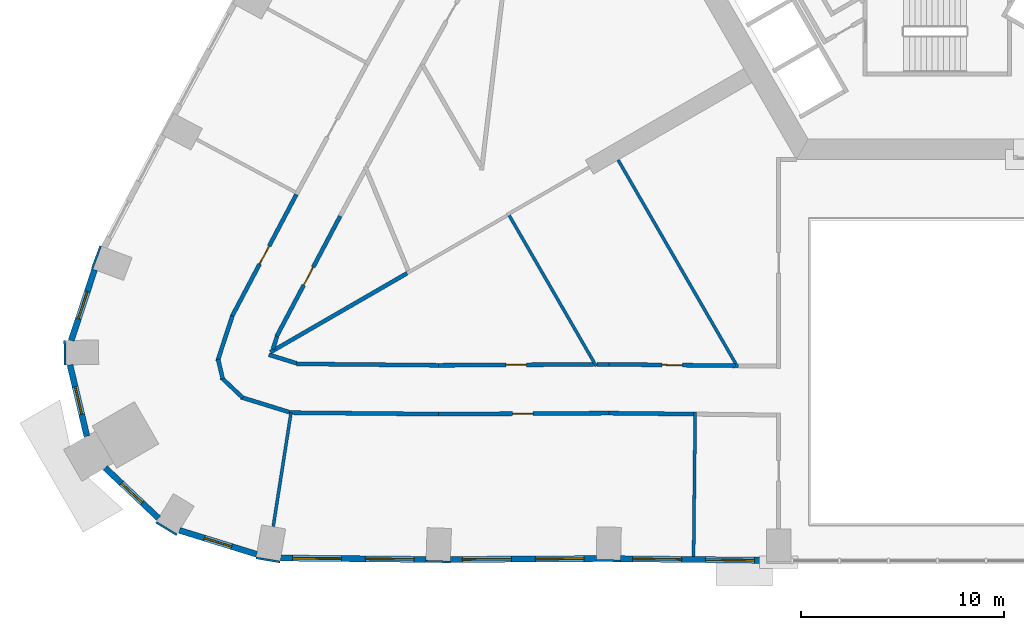
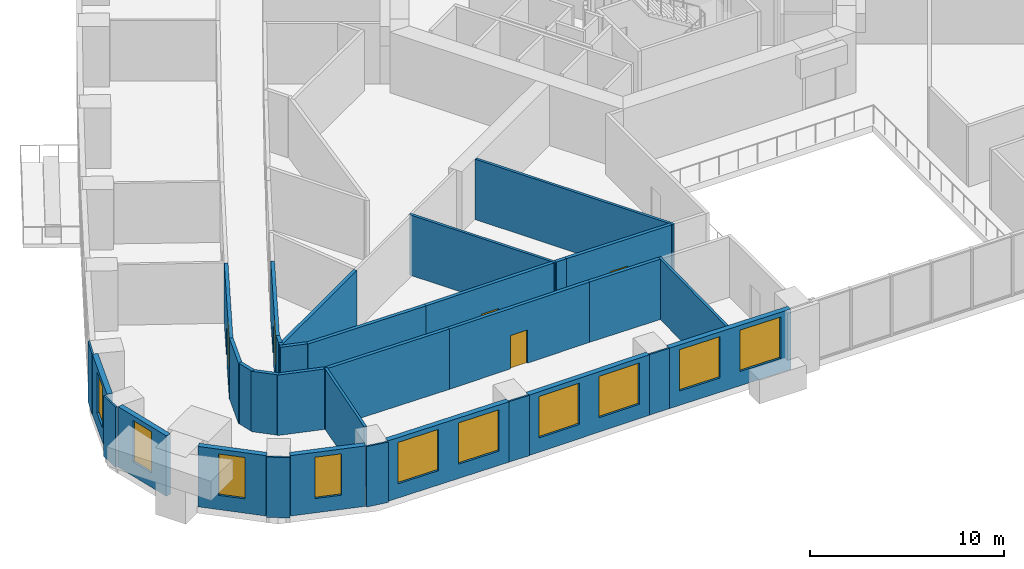
# One storey, part 4 of 16: 33 walls, 10 windows, 5 doors, 15 openings.
"""IFC4 building model written with IfcOpenShell, lengths in metres."""

from ifc_helpers import new_model, si_unit, direction, frame, frame_2d, origin, place, context, subcontext, project, spatial, rectangle, extrude, material, layer, layer_set, type_object, element, fill, save


model = new_model("IFC4")

# Units and contexts
model_context = context("Model", 3, precision=1e-05, world=origin(), true_north=direction((0.0, 1.0)))
body_context = subcontext(model_context, "Body", "Model", "MODEL_VIEW")
ifc_project = project(units=[si_unit("LENGTHUNIT", "METRE"), si_unit("AREAUNIT", "SQUARE_METRE"), si_unit("VOLUMEUNIT", "CUBIC_METRE"), si_unit("PLANEANGLEUNIT", "RADIAN"), si_unit("MASSUNIT", "GRAM", prefix="KILO")], contexts=[model_context])

# Site, building, storey
site_placement = place(None, origin())
site = spatial("IfcSite", under=ifc_project, at=site_placement, CompositionType="ELEMENT")
building_placement = place(site_placement, origin())
building = spatial("IfcBuilding", under=site, at=building_placement, Name="Entoto Arch Interchange Tower", CompositionType="ELEMENT")
storey_placement = place(building_placement, frame((0.0, 0.0, 68.60009765625)))
storey = spatial("IfcBuildingStorey", under=building, at=storey_placement, Name="L14", CompositionType="ELEMENT", Elevation=68.60009765625)

# Walls
ifc_material_1 = material(Name="Gypsum board partition on steel studs", Category="steel")
ifc_layer_1 = layer(ifc_material_1, 0.14990234375)
ifc_layer_set_1 = layer_set([ifc_layer_1], Name="Gypsum board partition on steel studs")
wall_type_1 = type_object("IfcWallType", Name="PARTITION 150", PredefinedType="PARTITIONING", material=ifc_layer_set_1)
wall_1_placement = place(storey_placement, frame((-9.801025390625, -19.72412109375, 0.0), z_axis=(0.0, 0.0, 1.0), x_axis=(-0.500005867738, 0.866022016018, 0.0)))
element("IfcWall", 1, at=wall_1_placement, inside=storey, type_object=wall_type_1, Name="wall:L14:p128", PredefinedType="PARTITIONING", context=body_context, shape_type="SweptSolid", body=[
    extrude(rectangle(XDim=11.781494140625, YDim=0.14990234375, at=frame_2d((5.890625, 0.0))), origin(), (0.0, 0.0, 1.0), 3.7998046875),
])
wall_2_placement = place(storey_placement, frame((-16.76708984375, -19.657958984375, 0.0), z_axis=(0.0, 0.0, 1.0), x_axis=(-0.500083586486, 0.865977139726, 0.0)))
element("IfcWall", 2, at=wall_2_placement, inside=storey, type_object=wall_type_1, Name="wall:L14:p132", PredefinedType="PARTITIONING", context=body_context, shape_type="SweptSolid", body=[
    extrude(rectangle(XDim=8.68017578125, YDim=0.14990234375, at=frame_2d((4.340087890625, 0.0))), origin(), (0.0, 0.0, 1.0), 3.7998046875),
])
wall_3_placement = place(storey_placement, frame((-31.77294921875, -21.944091796875, 0.0), z_axis=(0.0, 0.0, 1.0), x_axis=(-0.154313693693, -0.988021904585, 0.0)))
element("IfcWall", 3, at=wall_3_placement, inside=storey, type_object=wall_type_1, Name="wall:L14:p149", PredefinedType="PARTITIONING", context=body_context, shape_type="SweptSolid", body=[
    extrude(rectangle(XDim=5.65771484375, YDim=0.14990234375, at=frame_2d((2.828857421875, 0.0))), origin(), (0.0, 0.0, 1.0), 3.7998046875),
])
wall_4_placement = place(storey_placement, frame((-11.903076171875, -21.9150390625, 0.0), z_axis=(0.0, 0.0, 1.0), x_axis=(-0.011106223261, -0.999938324, 0.0)))
element("IfcWall", 4, at=wall_4_placement, inside=storey, type_object=wall_type_1, Name="wall:L14:p150", PredefinedType="PARTITIONING", context=body_context, shape_type="SweptSolid", body=[
    extrude(rectangle(XDim=7.100341796875, YDim=0.14990234375, at=frame_2d((3.55029296875, 0.0))), origin(), (0.0, 0.0, 1.0), 3.7998046875),
])
ifc_layer_2 = layer(ifc_material_1, 0.199951171875)
ifc_layer_set_2 = layer_set([ifc_layer_2], Name="Gypsum board partition on steel studs")
wall_type_2 = type_object("IfcWallType", Name="PARTITION 200", PredefinedType="PARTITIONING", material=ifc_layer_set_2)
wall_5_placement = place(storey_placement, frame((-16.741943359375, -19.571044921875, 0.0), z_axis=(0.0, 0.0, 1.0), x_axis=(0.999988034534, 0.004891910483, 0.0)))
element("IfcWall", 5, at=wall_5_placement, inside=storey, type_object=wall_type_2, Name="wall:L14:p035", PredefinedType="PARTITIONING", context=body_context, shape_type="SweptSolid", body=[
    extrude(rectangle(XDim=0.598876953125, YDim=0.199951171875, at=frame_2d((0.29931640625, 0.0))), origin(), (0.0, 0.0, 1.0), 3.7998046875),
])

# Wall, opening, door
wall_6_placement = place(storey_placement, frame((-16.14306640625, -19.568115234375, 0.0), z_axis=(0.0, 0.0, 1.0), x_axis=(0.999938688645, -0.011073344206, 0.0)))
wall_6 = element("IfcWall", 6, at=wall_6_placement, inside=storey, type_object=wall_type_2, Name="wall:L14:p036", PredefinedType="PARTITIONING", context=body_context, shape_type="SweptSolid", body=[
    extrude(rectangle(XDim=6.217529296875, YDim=0.199951171875, at=frame_2d((3.10888671875, 0.0))), origin(), (0.0, 0.0, 1.0), 3.7998046875),
])
opening_1_placement = place(wall_6_placement, frame((2.60888671875, 0.0, 0.0)))
opening_1 = element("IfcOpeningElement", 7, at=opening_1_placement, cuts=wall_6, Name="Opening L14-D24", PredefinedType="OPENING", context=body_context, shape_type="SweptSolid", body=[
    extrude(rectangle(XDim=1.0, YDim=2.10009765625, at=frame_2d((0.5, 1.050048828125))), frame((0.0, 0.10986328125, 0.0), z_axis=(0.0, -1.0, 0.0), x_axis=(1.0, 0.0, 0.0)), (0.0, 0.0, 1.0), 0.219970703125),
])
ifc_material_2 = material(Name="Timber door leaf in Steel S235 frame", Category="steel")
door_type = type_object("IfcDoorType", Name="DOOR DS-10 1000x2100", OperationType="SINGLE_SWING_LEFT", PredefinedType="DOOR", material=ifc_material_2)
door_1_placement = place(opening_1_placement, origin())
door_1 = element("IfcDoor", 8, at=door_1_placement, inside=storey, type_object=door_type, Name="door:L14:24", OperationType="SINGLE_SWING_LEFT", OverallHeight=2.10009765625, OverallWidth=1.0, PredefinedType="DOOR", context=body_context, shape_type="SweptSolid", body=[
    extrude(rectangle(XDim=1.0, YDim=2.10009765625, at=frame_2d((0.5, 1.050048828125))), frame((0.0, 0.02490234375, 0.0), z_axis=(0.0, -1.0, 0.0), x_axis=(1.0, 0.0, 0.0)), (0.0, 0.0, 1.0), 0.050048828125),
])
fill(opening_1, door_1)

wall_7_placement = place(storey_placement, frame((-29.35595703125, -12.281005859375, 0.0), z_axis=(0.0, 0.0, 1.0), x_axis=(-0.467123190417, -0.884192244353, 0.0)))
wall_7 = element("IfcWall", 9, at=wall_7_placement, inside=storey, type_object=wall_type_2, Name="wall:L14:p038", PredefinedType="PARTITIONING", context=body_context, shape_type="SweptSolid", body=[
    extrude(rectangle(XDim=6.67724609375, YDim=0.199951171875, at=frame_2d((3.338623046875, 0.0))), origin(), (0.0, 0.0, 1.0), 3.7998046875),
])
opening_2_placement = place(wall_7_placement, frame((2.839111328125, 0.0, 0.0)))
opening_2 = element("IfcOpeningElement", 10, at=opening_2_placement, cuts=wall_7, Name="Opening L14-D25", PredefinedType="OPENING", context=body_context, shape_type="SweptSolid", body=[
    extrude(rectangle(XDim=1.0, YDim=2.10009765625, at=frame_2d((0.5, 1.050048828125))), frame((0.0, 0.10986328125, 0.0), z_axis=(0.0, -1.0, 0.0), x_axis=(1.0, 0.0, 0.0)), (0.0, 0.0, 1.0), 0.219970703125),
])
door_2_placement = place(opening_2_placement, origin())
door_2 = element("IfcDoor", 11, at=door_2_placement, inside=storey, type_object=door_type, Name="door:L14:25", OperationType="SINGLE_SWING_LEFT", OverallHeight=2.10009765625, OverallWidth=1.0, PredefinedType="DOOR", context=body_context, shape_type="SweptSolid", body=[
    extrude(rectangle(XDim=1.0, YDim=2.10009765625, at=frame_2d((0.5, 1.050048828125))), frame((0.0, 0.02490234375, 0.0), z_axis=(0.0, -1.0, 0.0), x_axis=(1.0, 0.0, 0.0)), (0.0, 0.0, 1.0), 0.050048828125),
])
fill(opening_2, door_2)

# Walls
wall_8_placement = place(storey_placement, frame((-32.458984375, -18.19091796875, 0.0), z_axis=(0.0, 0.0, 1.0), x_axis=(-0.312158013001, -0.950030196846, 0.0)))
element("IfcWall", 12, at=wall_8_placement, inside=storey, type_object=wall_type_2, Name="wall:L14:p039", PredefinedType="PARTITIONING", context=body_context, shape_type="SweptSolid", body=[
    extrude(rectangle(XDim=0.666259765625, YDim=0.199951171875, at=frame_2d((0.3330078125, 0.0))), origin(), (0.0, 0.0, 1.0), 3.7998046875),
])
wall_9_placement = place(storey_placement, frame((-32.861083984375, -19.094970703125, 0.0), z_axis=(0.0, 0.0, 1.0), x_axis=(0.955301951006, -0.29563183591, 0.0)))
element("IfcWall", 13, at=wall_9_placement, inside=storey, type_object=wall_type_2, Name="wall:L14:p040", PredefinedType="PARTITIONING", context=body_context, shape_type="SweptSolid", body=[
    extrude(rectangle(XDim=1.43115234375, YDim=0.199951171875, at=frame_2d((0.715576171875, 0.0))), origin(), (0.0, 0.0, 1.0), 3.7998046875),
])
wall_10_placement = place(storey_placement, frame((-31.498046875, -19.5458984375, 0.0), z_axis=(0.0, 0.0, 1.0), x_axis=(0.999950985372, -0.009900851195, 0.0)))
element("IfcWall", 14, at=wall_10_placement, inside=storey, type_object=wall_type_2, Name="wall:L14:p041", PredefinedType="PARTITIONING", context=body_context, shape_type="SweptSolid", body=[
    extrude(rectangle(XDim=6.978271484375, YDim=0.199951171875, at=frame_2d((3.4892578125, 0.0))), origin(), (0.0, 0.0, 1.0), 3.7998046875),
])

# Wall, opening, door
wall_11_placement = place(storey_placement, frame((-24.52001953125, -19.614990234375, 0.0), z_axis=(0.0, 0.0, 1.0), x_axis=(0.999984134574, 0.00563299218, 0.0)))
wall_11 = element("IfcWall", 15, at=wall_11_placement, inside=storey, type_object=wall_type_2, Name="wall:L14:p042", PredefinedType="PARTITIONING", context=body_context, shape_type="SweptSolid", body=[
    extrude(rectangle(XDim=7.6279296875, YDim=0.199951171875, at=frame_2d((3.81396484375, 0.0))), origin(), (0.0, 0.0, 1.0), 3.7998046875),
])
opening_3_placement = place(wall_11_placement, frame((3.31396484375, 0.0, 0.0)))
opening_3 = element("IfcOpeningElement", 16, at=opening_3_placement, cuts=wall_11, Name="Opening L14-D26", PredefinedType="OPENING", context=body_context, shape_type="SweptSolid", body=[
    extrude(rectangle(XDim=1.0, YDim=2.10009765625, at=frame_2d((0.5, 1.050048828125))), frame((0.0, 0.10986328125, 0.0), z_axis=(0.0, -1.0, 0.0), x_axis=(1.0, 0.0, 0.0)), (0.0, 0.0, 1.0), 0.219970703125),
])
door_3_placement = place(opening_3_placement, origin())
door_3 = element("IfcDoor", 17, at=door_3_placement, inside=storey, type_object=door_type, Name="door:L14:26", OperationType="SINGLE_SWING_LEFT", OverallHeight=2.10009765625, OverallWidth=1.0, PredefinedType="DOOR", context=body_context, shape_type="SweptSolid", body=[
    extrude(rectangle(XDim=1.0, YDim=2.10009765625, at=frame_2d((0.5, 1.050048828125))), frame((0.0, 0.02490234375, 0.0), z_axis=(0.0, -1.0, 0.0), x_axis=(1.0, 0.0, 0.0)), (0.0, 0.0, 1.0), 0.050048828125),
])
fill(opening_3, door_3)

# Walls
wall_12_placement = place(storey_placement, frame((-31.867919921875, -21.9140625, 0.0), z_axis=(0.0, 0.0, 1.0), x_axis=(-0.955329505989, 0.295542780299, 0.0)))
element("IfcWall", 18, at=wall_12_placement, inside=storey, type_object=wall_type_2, Name="wall:L14:p074", PredefinedType="PARTITIONING", context=body_context, shape_type="SweptSolid", body=[
    extrude(rectangle(XDim=2.48388671875, YDim=0.199951171875, at=frame_2d((1.241943359375, 0.0))), origin(), (0.0, 0.0, 1.0), 3.7998046875),
])
wall_13_placement = place(storey_placement, frame((-34.14599609375, -21.208984375, 0.0), z_axis=(0.0, 0.0, 1.0), x_axis=(-0.727092478665, 0.686539530885, 0.0)))
element("IfcWall", 19, at=wall_13_placement, inside=storey, type_object=wall_type_2, Name="wall:L14:p075", PredefinedType="PARTITIONING", context=body_context, shape_type="SweptSolid", body=[
    extrude(rectangle(XDim=1.450927734375, YDim=0.199951171875, at=frame_2d((0.7255859375, 0.0))), origin(), (0.0, 0.0, 1.0), 3.7998046875),
])
wall_14_placement = place(storey_placement, frame((-35.12890625, -20.281005859375, 0.0), z_axis=(0.0, 0.0, 1.0), x_axis=(-0.230392306785, 0.973097829087, 0.0)))
element("IfcWall", 20, at=wall_14_placement, inside=storey, type_object=wall_type_2, Name="wall:L14:p076", PredefinedType="PARTITIONING", context=body_context, shape_type="SweptSolid", body=[
    extrude(rectangle(XDim=0.985595703125, YDim=0.199951171875, at=frame_2d((0.49267578125, 0.0))), origin(), (0.0, 0.0, 1.0), 3.7998046875),
])
wall_15_placement = place(storey_placement, frame((-35.386962890625, -19.416015625, 0.0), z_axis=(0.0, 0.0, 1.0), x_axis=(0.31172635658, 0.950171920556, 0.0)))
element("IfcWall", 21, at=wall_15_placement, inside=storey, type_object=wall_type_2, Name="wall:L14:p077", PredefinedType="PARTITIONING", context=body_context, shape_type="SweptSolid", body=[
    extrude(rectangle(XDim=2.344970703125, YDim=0.199951171875, at=frame_2d((1.17236328125, 0.0))), origin(), (0.0, 0.0, 1.0), 3.7998046875),
])

# Wall, opening, door
wall_16_placement = place(storey_placement, frame((-34.69189453125, -17.242919921875, 0.0), z_axis=(0.0, 0.0, 1.0), x_axis=(0.467102540817, 0.884203153332, 0.0)))
wall_16 = element("IfcWall", 22, at=wall_16_placement, inside=storey, type_object=wall_type_2, Name="wall:L14:p078", PredefinedType="PARTITIONING", context=body_context, shape_type="SweptSolid", body=[
    extrude(rectangle(XDim=6.816162109375, YDim=0.199951171875, at=frame_2d((3.408203125, 0.0))), origin(), (0.0, 0.0, 1.0), 3.7998046875),
])
opening_4_placement = place(wall_16_placement, frame((2.946044921875, 0.0, 0.0)))
opening_4 = element("IfcOpeningElement", 23, at=opening_4_placement, cuts=wall_16, Name="Opening L14-D16", PredefinedType="OPENING", context=body_context, shape_type="SweptSolid", body=[
    extrude(rectangle(XDim=1.0, YDim=2.10009765625, at=frame_2d((0.5, 1.050048828125))), frame((0.0, 0.10986328125, 0.0), z_axis=(0.0, -1.0, 0.0), x_axis=(1.0, 0.0, 0.0)), (0.0, 0.0, 1.0), 0.219970703125),
])
door_4_placement = place(opening_4_placement, origin())
door_4 = element("IfcDoor", 24, at=door_4_placement, inside=storey, type_object=door_type, Name="door:L14:16", OperationType="SINGLE_SWING_LEFT", OverallHeight=2.10009765625, OverallWidth=1.0, PredefinedType="DOOR", context=body_context, shape_type="SweptSolid", body=[
    extrude(rectangle(XDim=1.0, YDim=2.10009765625, at=frame_2d((0.5, 1.050048828125))), frame((0.0, 0.02490234375, 0.0), z_axis=(0.0, -1.0, 0.0), x_axis=(1.0, 0.0, 0.0)), (0.0, 0.0, 1.0), 0.050048828125),
])
fill(opening_4, door_4)

# Wall
wall_17_placement = place(storey_placement, frame((-11.97900390625, -22.013916015625, 0.0), z_axis=(0.0, 0.0, 1.0), x_axis=(-0.999939456554, 0.01100378236, 0.0)))
element("IfcWall", 25, at=wall_17_placement, inside=storey, type_object=wall_type_2, Name="wall:L14:p079", PredefinedType="PARTITIONING", context=body_context, shape_type="SweptSolid", body=[
    extrude(rectangle(XDim=4.171142578125, YDim=0.199951171875, at=frame_2d((2.08544921875, 0.0))), origin(), (0.0, 0.0, 1.0), 3.7998046875),
])

# Wall, opening, door
wall_18_placement = place(storey_placement, frame((-16.14990234375, -21.968017578125, 0.0), z_axis=(0.0, 0.0, 1.0), x_axis=(-0.99998433708, -0.00559692726, 0.0)))
wall_18 = element("IfcWall", 26, at=wall_18_placement, inside=storey, type_object=wall_type_2, Name="wall:L14:p080", PredefinedType="PARTITIONING", context=body_context, shape_type="SweptSolid", body=[
    extrude(rectangle(XDim=8.375244140625, YDim=0.199951171875, at=frame_2d((4.1875, 0.0))), origin(), (0.0, 0.0, 1.0), 3.7998046875),
])
opening_5_placement = place(wall_18_placement, frame((3.72509765625, 0.0, 0.0)))
opening_5 = element("IfcOpeningElement", 27, at=opening_5_placement, cuts=wall_18, Name="Opening L14-D17", PredefinedType="OPENING", context=body_context, shape_type="SweptSolid", body=[
    extrude(rectangle(XDim=1.0, YDim=2.10009765625, at=frame_2d((0.5, 1.050048828125))), frame((0.0, 0.10986328125, 0.0), z_axis=(0.0, -1.0, 0.0), x_axis=(1.0, 0.0, 0.0)), (0.0, 0.0, 1.0), 0.219970703125),
])
door_5_placement = place(opening_5_placement, origin())
door_5 = element("IfcDoor", 28, at=door_5_placement, inside=storey, type_object=door_type, Name="door:L14:17", OperationType="SINGLE_SWING_RIGHT", OverallHeight=2.10009765625, OverallWidth=1.0, PredefinedType="DOOR", context=body_context, shape_type="SweptSolid", body=[
    extrude(rectangle(XDim=1.0, YDim=2.10009765625, at=frame_2d((0.5, 1.050048828125))), frame((0.0, 0.02490234375, 0.0), z_axis=(0.0, -1.0, 0.0), x_axis=(1.0, 0.0, 0.0)), (0.0, 0.0, 1.0), 0.050048828125),
])
fill(opening_5, door_5)

# Walls
wall_19_placement = place(storey_placement, frame((-24.52490234375, -22.014892578125, 0.0), z_axis=(0.0, 0.0, 1.0), x_axis=(-0.999952295614, 0.009767624922, 0.0)))
element("IfcWall", 29, at=wall_19_placement, inside=storey, type_object=wall_type_2, Name="wall:L14:p081", PredefinedType="PARTITIONING", context=body_context, shape_type="SweptSolid", body=[
    extrude(rectangle(XDim=7.348388671875, YDim=0.199951171875, at=frame_2d((3.67431640625, 0.0))), origin(), (0.0, 0.0, 1.0), 3.7998046875),
])
wall_20_placement = place(storey_placement, frame((-26.06396484375, -15.087890625, 0.0), z_axis=(0.0, 0.0, 1.0), x_axis=(-0.865982841629, -0.500073712571, 0.0)))
element("IfcWall", 30, at=wall_20_placement, inside=storey, type_object=wall_type_2, Name="wall:L14:p133", PredefinedType="PARTITIONING", context=body_context, shape_type="SweptSolid", body=[
    extrude(rectangle(XDim=7.760986328125, YDim=0.199951171875, at=frame_2d((3.88037109375, 0.0))), origin(), (0.0, 0.0, 1.0), 3.7998046875),
])

# Wall, openings, windows
ifc_material_3 = material(Name="Welded tuff (ignimbrite) cladding, warm buff", Category="masonry")
ifc_layer_3 = layer(ifc_material_3, 0.300048828125)
ifc_layer_set_3 = layer_set([ifc_layer_3], Name="Welded tuff (ignimbrite) cladding, warm buff")
wall_type_3 = type_object("IfcWallType", Name="STONE INFILL WALL 300", PredefinedType="STANDARD", material=ifc_layer_set_3)
wall_21_placement = place(storey_placement, frame((-32.279052734375, -29.089111328125, 0.0), z_axis=(0.0, 0.0, 1.0), x_axis=(0.999952253205, -0.009771965572, 0.0)))
wall_21 = element("IfcWall", 31, at=wall_21_placement, inside=storey, type_object=wall_type_3, Name="Facade wall S-01 L14", PredefinedType="STANDARD", context=body_context, shape_type="SweptSolid", body=[
    extrude(rectangle(XDim=7.145263671875, YDim=0.300048828125, at=frame_2d((3.57275390625, 0.0))), origin(), (0.0, 0.0, 1.0), 3.7998046875),
])
opening_6_placement = place(wall_21_placement, frame((0.5859375, 0.0, 0.89990234375)))
opening_6 = element("IfcOpeningElement", 32, at=opening_6_placement, cuts=wall_21, Name="Opening WO-A", PredefinedType="OPENING", context=body_context, shape_type="SweptSolid", body=[
    extrude(rectangle(XDim=2.39990234375, YDim=2.60009765625, at=frame_2d((1.199951171875, 1.300048828125))), frame((0.0, 0.16015625, 0.0), z_axis=(0.0, -1.0, 0.0), x_axis=(1.0, 0.0, 0.0)), (0.0, 0.0, 1.0), 0.320068359375),
])
opening_7_placement = place(wall_21_placement, frame((4.158935546875, 0.0, 0.89990234375)))
opening_7 = element("IfcOpeningElement", 33, at=opening_7_placement, cuts=wall_21, Name="Opening WO-A", PredefinedType="OPENING", context=body_context, shape_type="SweptSolid", body=[
    extrude(rectangle(XDim=2.39990234375, YDim=2.60009765625, at=frame_2d((1.199951171875, 1.300048828125))), frame((0.0, 0.16015625, 0.0), z_axis=(0.0, -1.0, 0.0), x_axis=(1.0, 0.0, 0.0)), (0.0, 0.0, 1.0), 0.320068359375),
])
ifc_material_4 = material(Name="Clear glass, low-e double glazed", Category="glass")
window_type_1 = type_object("IfcWindowType", Name="WINDOW WO-A 2400x2600", PartitioningType="DOUBLE_PANEL_VERTICAL", PredefinedType="WINDOW", material=ifc_material_4)
window_1_placement = place(opening_6_placement, origin())
window_1 = element("IfcWindow", 34, at=window_1_placement, inside=storey, type_object=window_type_1, Name="Window WO-A S-01 L14", OverallHeight=2.60009765625, OverallWidth=2.39990234375, PartitioningType="SINGLE_PANEL", PredefinedType="WINDOW", context=body_context, shape_type="SweptSolid", body=[
    extrude(rectangle(XDim=2.39990234375, YDim=2.60009765625, at=frame_2d((1.199951171875, 1.300048828125))), frame((0.0, 0.030029296875, 0.0), z_axis=(0.0, -1.0, 0.0), x_axis=(1.0, 0.0, 0.0)), (0.0, 0.0, 1.0), 0.06005859375),
])
fill(opening_6, window_1)
window_2_placement = place(opening_7_placement, origin())
window_2 = element("IfcWindow", 35, at=window_2_placement, inside=storey, type_object=window_type_1, Name="Window WO-A S-01 L14", OverallHeight=2.60009765625, OverallWidth=2.39990234375, PartitioningType="SINGLE_PANEL", PredefinedType="WINDOW", context=body_context, shape_type="SweptSolid", body=[
    extrude(rectangle(XDim=2.39990234375, YDim=2.60009765625, at=frame_2d((1.199951171875, 1.300048828125))), frame((0.0, 0.030029296875, 0.0), z_axis=(0.0, -1.0, 0.0), x_axis=(1.0, 0.0, 0.0)), (0.0, 0.0, 1.0), 0.06005859375),
])
fill(opening_7, window_2)

wall_22_placement = place(storey_placement, frame((-23.93603515625, -29.162109375, 0.0), z_axis=(0.0, 0.0, 1.0), x_axis=(0.999983638272, 0.005720418525, 0.0)))
wall_22 = element("IfcWall", 36, at=wall_22_placement, inside=storey, type_object=wall_type_3, Name="Facade wall S-02 L14", PredefinedType="STANDARD", context=body_context, shape_type="SweptSolid", body=[
    extrude(rectangle(XDim=7.169921875, YDim=0.300048828125, at=frame_2d((3.5849609375, 0.0))), origin(), (0.0, 0.0, 1.0), 3.7998046875),
])
opening_8_placement = place(wall_22_placement, frame((0.593017578125, 0.0, 0.89990234375)))
opening_8 = element("IfcOpeningElement", 37, at=opening_8_placement, cuts=wall_22, Name="Opening WO-A", PredefinedType="OPENING", context=body_context, shape_type="SweptSolid", body=[
    extrude(rectangle(XDim=2.39990234375, YDim=2.60009765625, at=frame_2d((1.199951171875, 1.300048828125))), frame((0.0, 0.16015625, 0.0), z_axis=(0.0, -1.0, 0.0), x_axis=(1.0, 0.0, 0.0)), (0.0, 0.0, 1.0), 0.320068359375),
])
opening_9_placement = place(wall_22_placement, frame((4.177978515625, 0.0, 0.89990234375)))
opening_9 = element("IfcOpeningElement", 38, at=opening_9_placement, cuts=wall_22, Name="Opening WO-A", PredefinedType="OPENING", context=body_context, shape_type="SweptSolid", body=[
    extrude(rectangle(XDim=2.39990234375, YDim=2.60009765625, at=frame_2d((1.199951171875, 1.300048828125))), frame((0.0, 0.16015625, 0.0), z_axis=(0.0, -1.0, 0.0), x_axis=(1.0, 0.0, 0.0)), (0.0, 0.0, 1.0), 0.320068359375),
])
window_3_placement = place(opening_8_placement, origin())
window_3 = element("IfcWindow", 39, at=window_3_placement, inside=storey, type_object=window_type_1, Name="Window WO-A S-02 L14", OverallHeight=2.60009765625, OverallWidth=2.39990234375, PartitioningType="SINGLE_PANEL", PredefinedType="WINDOW", context=body_context, shape_type="SweptSolid", body=[
    extrude(rectangle(XDim=2.39990234375, YDim=2.60009765625, at=frame_2d((1.199951171875, 1.300048828125))), frame((0.0, 0.030029296875, 0.0), z_axis=(0.0, -1.0, 0.0), x_axis=(1.0, 0.0, 0.0)), (0.0, 0.0, 1.0), 0.06005859375),
])
fill(opening_8, window_3)
window_4_placement = place(opening_9_placement, origin())
window_4 = element("IfcWindow", 40, at=window_4_placement, inside=storey, type_object=window_type_1, Name="Window WO-A S-02 L14", OverallHeight=2.60009765625, OverallWidth=2.39990234375, PartitioningType="SINGLE_PANEL", PredefinedType="WINDOW", context=body_context, shape_type="SweptSolid", body=[
    extrude(rectangle(XDim=2.39990234375, YDim=2.60009765625, at=frame_2d((1.199951171875, 1.300048828125))), frame((0.0, 0.030029296875, 0.0), z_axis=(0.0, -1.0, 0.0), x_axis=(1.0, 0.0, 0.0)), (0.0, 0.0, 1.0), 0.06005859375),
])
fill(opening_9, window_4)

wall_23_placement = place(storey_placement, frame((-15.568115234375, -29.125, 0.0), z_axis=(0.0, 0.0, 1.0), x_axis=(0.999939152594, -0.011031369316, 0.0)))
wall_23 = element("IfcWall", 41, at=wall_23_placement, inside=storey, type_object=wall_type_3, Name="Facade wall S-03 L14", PredefinedType="STANDARD", context=body_context, shape_type="SweptSolid", body=[
    extrude(rectangle(XDim=7.170654296875, YDim=0.300048828125, at=frame_2d((3.58544921875, 0.0))), origin(), (0.0, 0.0, 1.0), 3.7998046875),
])
opening_10_placement = place(wall_23_placement, frame((0.593017578125, 0.0, 0.89990234375)))
opening_10 = element("IfcOpeningElement", 42, at=opening_10_placement, cuts=wall_23, Name="Opening WO-A", PredefinedType="OPENING", context=body_context, shape_type="SweptSolid", body=[
    extrude(rectangle(XDim=2.39990234375, YDim=2.60009765625, at=frame_2d((1.199951171875, 1.300048828125))), frame((0.0, 0.16015625, 0.0), z_axis=(0.0, -1.0, 0.0), x_axis=(1.0, 0.0, 0.0)), (0.0, 0.0, 1.0), 0.320068359375),
])
opening_11_placement = place(wall_23_placement, frame((4.177978515625, 0.0, 0.89990234375)))
opening_11 = element("IfcOpeningElement", 43, at=opening_11_placement, cuts=wall_23, Name="Opening WO-A", PredefinedType="OPENING", context=body_context, shape_type="SweptSolid", body=[
    extrude(rectangle(XDim=2.39990234375, YDim=2.60009765625, at=frame_2d((1.199951171875, 1.300048828125))), frame((0.0, 0.16015625, 0.0), z_axis=(0.0, -1.0, 0.0), x_axis=(1.0, 0.0, 0.0)), (0.0, 0.0, 1.0), 0.320068359375),
])
window_5_placement = place(opening_10_placement, origin())
window_5 = element("IfcWindow", 44, at=window_5_placement, inside=storey, type_object=window_type_1, Name="Window WO-A S-03 L14", OverallHeight=2.60009765625, OverallWidth=2.39990234375, PartitioningType="SINGLE_PANEL", PredefinedType="WINDOW", context=body_context, shape_type="SweptSolid", body=[
    extrude(rectangle(XDim=2.39990234375, YDim=2.60009765625, at=frame_2d((1.199951171875, 1.300048828125))), frame((0.0, 0.030029296875, 0.0), z_axis=(0.0, -1.0, 0.0), x_axis=(1.0, 0.0, 0.0)), (0.0, 0.0, 1.0), 0.06005859375),
])
fill(opening_10, window_5)
window_6_placement = place(opening_11_placement, origin())
window_6 = element("IfcWindow", 45, at=window_6_placement, inside=storey, type_object=window_type_1, Name="Window WO-A S-03 L14", OverallHeight=2.60009765625, OverallWidth=2.39990234375, PartitioningType="SINGLE_PANEL", PredefinedType="WINDOW", context=body_context, shape_type="SweptSolid", body=[
    extrude(rectangle(XDim=2.39990234375, YDim=2.60009765625, at=frame_2d((1.199951171875, 1.300048828125))), frame((0.0, 0.030029296875, 0.0), z_axis=(0.0, -1.0, 0.0), x_axis=(1.0, 0.0, 0.0)), (0.0, 0.0, 1.0), 0.06005859375),
])
fill(opening_11, window_6)

# Wall, opening, window
wall_24_placement = place(storey_placement, frame((-41.43408203125, -14.9130859375, 0.0), z_axis=(0.0, 0.0, 1.0), x_axis=(-0.31208801137, -0.95005319491, 0.0)))
wall_24 = element("IfcWall", 46, at=wall_24_placement, inside=storey, type_object=wall_type_3, Name="Facade wall SW-01 L14", PredefinedType="STANDARD", context=body_context, shape_type="SweptSolid", body=[
    extrude(rectangle(XDim=3.6650390625, YDim=0.300048828125, at=frame_2d((1.83251953125, 0.0))), origin(), (0.0, 0.0, 1.0), 3.7998046875),
])
opening_12_placement = place(wall_24_placement, frame((1.133056640625, 0.0, 0.89990234375)))
opening_12 = element("IfcOpeningElement", 47, at=opening_12_placement, cuts=wall_24, Name="Opening WO-B", PredefinedType="OPENING", context=body_context, shape_type="SweptSolid", body=[
    extrude(rectangle(XDim=1.39990234375, YDim=2.60009765625, at=frame_2d((0.699951171875, 1.300048828125))), frame((0.0, 0.16015625, 0.0), z_axis=(0.0, -1.0, 0.0), x_axis=(1.0, 0.0, 0.0)), (0.0, 0.0, 1.0), 0.320068359375),
])
window_type_2 = type_object("IfcWindowType", Name="WINDOW WO-B 1400x2600", PartitioningType="DOUBLE_PANEL_VERTICAL", PredefinedType="WINDOW", material=ifc_material_4)
window_7_placement = place(opening_12_placement, origin())
window_7 = element("IfcWindow", 48, at=window_7_placement, inside=storey, type_object=window_type_2, Name="Window WO-B SW-01 L14", OverallHeight=2.60009765625, OverallWidth=1.39990234375, PartitioningType="SINGLE_PANEL", PredefinedType="WINDOW", context=body_context, shape_type="SweptSolid", body=[
    extrude(rectangle(XDim=1.39990234375, YDim=2.60009765625, at=frame_2d((0.699951171875, 1.300048828125))), frame((0.0, 0.030029296875, 0.0), z_axis=(0.0, -1.0, 0.0), x_axis=(1.0, 0.0, 0.0)), (0.0, 0.0, 1.0), 0.06005859375),
])
fill(opening_12, window_7)

wall_25_placement = place(storey_placement, frame((-42.639892578125, -19.594970703125, 0.0), z_axis=(0.0, 0.0, 1.0), x_axis=(0.230893603767, -0.972979004778, 0.0)))
wall_25 = element("IfcWall", 49, at=wall_25_placement, inside=storey, type_object=wall_type_3, Name="Facade wall SW-02 L14", PredefinedType="STANDARD", context=body_context, shape_type="SweptSolid", body=[
    extrude(rectangle(XDim=3.6025390625, YDim=0.300048828125, at=frame_2d((1.80126953125, 0.0))), origin(), (0.0, 0.0, 1.0), 3.7998046875),
])
opening_13_placement = place(wall_25_placement, frame((1.10107421875, 0.0, 0.89990234375)))
opening_13 = element("IfcOpeningElement", 50, at=opening_13_placement, cuts=wall_25, Name="Opening WO-B", PredefinedType="OPENING", context=body_context, shape_type="SweptSolid", body=[
    extrude(rectangle(XDim=1.39990234375, YDim=2.60009765625, at=frame_2d((0.699951171875, 1.300048828125))), frame((0.0, 0.16015625, 0.0), z_axis=(0.0, -1.0, 0.0), x_axis=(1.0, 0.0, 0.0)), (0.0, 0.0, 1.0), 0.320068359375),
])
window_8_placement = place(opening_13_placement, origin())
window_8 = element("IfcWindow", 51, at=window_8_placement, inside=storey, type_object=window_type_2, Name="Window WO-B SW-02 L14", OverallHeight=2.60009765625, OverallWidth=1.39990234375, PartitioningType="SINGLE_PANEL", PredefinedType="WINDOW", context=body_context, shape_type="SweptSolid", body=[
    extrude(rectangle(XDim=1.39990234375, YDim=2.60009765625, at=frame_2d((0.699951171875, 1.300048828125))), frame((0.0, 0.030029296875, 0.0), z_axis=(0.0, -1.0, 0.0), x_axis=(1.0, 0.0, 0.0)), (0.0, 0.0, 1.0), 0.06005859375),
])
fill(opening_13, window_8)

wall_26_placement = place(storey_placement, frame((-40.908935546875, -24.656982421875, 0.0), z_axis=(0.0, 0.0, 1.0), x_axis=(0.727082698591, -0.686549888508, 0.0)))
wall_26 = element("IfcWall", 52, at=wall_26_placement, inside=storey, type_object=wall_type_3, Name="Facade wall SW-03 L14", PredefinedType="STANDARD", context=body_context, shape_type="SweptSolid", body=[
    extrude(rectangle(XDim=3.601806640625, YDim=0.300048828125, at=frame_2d((1.80078125, 0.0))), origin(), (0.0, 0.0, 1.0), 3.7998046875),
])
opening_14_placement = place(wall_26_placement, frame((1.10107421875, 0.0, 0.89990234375)))
opening_14 = element("IfcOpeningElement", 53, at=opening_14_placement, cuts=wall_26, Name="Opening WO-B", PredefinedType="OPENING", context=body_context, shape_type="SweptSolid", body=[
    extrude(rectangle(XDim=1.39990234375, YDim=2.60009765625, at=frame_2d((0.699951171875, 1.300048828125))), frame((0.0, 0.16015625, 0.0), z_axis=(0.0, -1.0, 0.0), x_axis=(1.0, 0.0, 0.0)), (0.0, 0.0, 1.0), 0.320068359375),
])
window_9_placement = place(opening_14_placement, origin())
window_9 = element("IfcWindow", 54, at=window_9_placement, inside=storey, type_object=window_type_2, Name="Window WO-B SW-03 L14", OverallHeight=2.60009765625, OverallWidth=1.39990234375, PartitioningType="SINGLE_PANEL", PredefinedType="WINDOW", context=body_context, shape_type="SweptSolid", body=[
    extrude(rectangle(XDim=1.39990234375, YDim=2.60009765625, at=frame_2d((0.699951171875, 1.300048828125))), frame((0.0, 0.030029296875, 0.0), z_axis=(0.0, -1.0, 0.0), x_axis=(1.0, 0.0, 0.0)), (0.0, 0.0, 1.0), 0.06005859375),
])
fill(opening_14, window_9)

wall_27_placement = place(storey_placement, frame((-37.25390625, -27.73193359375, 0.0), z_axis=(0.0, 0.0, 1.0), x_axis=(0.955308230541, -0.295611543518, 0.0)))
wall_27 = element("IfcWall", 55, at=wall_27_placement, inside=storey, type_object=wall_type_3, Name="Facade wall SW-04 L14", PredefinedType="STANDARD", context=body_context, shape_type="SweptSolid", body=[
    extrude(rectangle(XDim=3.96826171875, YDim=0.300048828125, at=frame_2d((1.984130859375, 0.0))), origin(), (0.0, 0.0, 1.0), 3.7998046875),
])
opening_15_placement = place(wall_27_placement, frame((1.283935546875, 0.0, 0.89990234375)))
opening_15 = element("IfcOpeningElement", 56, at=opening_15_placement, cuts=wall_27, Name="Opening WO-B", PredefinedType="OPENING", context=body_context, shape_type="SweptSolid", body=[
    extrude(rectangle(XDim=1.39990234375, YDim=2.60009765625, at=frame_2d((0.699951171875, 1.300048828125))), frame((0.0, 0.16015625, 0.0), z_axis=(0.0, -1.0, 0.0), x_axis=(1.0, 0.0, 0.0)), (0.0, 0.0, 1.0), 0.320068359375),
])
window_10_placement = place(opening_15_placement, origin())
window_10 = element("IfcWindow", 57, at=window_10_placement, inside=storey, type_object=window_type_2, Name="Window WO-B SW-04 L14", OverallHeight=2.60009765625, OverallWidth=1.39990234375, PartitioningType="SINGLE_PANEL", PredefinedType="WINDOW", context=body_context, shape_type="SweptSolid", body=[
    extrude(rectangle(XDim=1.39990234375, YDim=2.60009765625, at=frame_2d((0.699951171875, 1.300048828125))), frame((0.0, 0.030029296875, 0.0), z_axis=(0.0, -1.0, 0.0), x_axis=(1.0, 0.0, 0.0)), (0.0, 0.0, 1.0), 0.06005859375),
])
fill(opening_15, window_10)

# Walls
ifc_layer_4 = layer(ifc_material_3, 0.10009765625)
ifc_layer_set_4 = layer_set([ifc_layer_4], Name="Welded tuff (ignimbrite) cladding, warm buff")
wall_type_4 = type_object("IfcWallType", Name="STONE PIER CLADDING 100", PredefinedType="STANDARD", material=ifc_layer_set_4)
wall_28_placement = place(storey_placement, frame((-41.132080078125, -13.74609375, 0.0), z_axis=(0.0, 0.0, 1.0), x_axis=(-0.348268249601, -0.937394914814, 0.0)))
element("IfcWall", 58, at=wall_28_placement, inside=storey, type_object=wall_type_4, Name="Stone pier NW10 L14", PredefinedType="STANDARD", context=body_context, shape_type="SweptSolid", body=[
    extrude(rectangle(XDim=1.2001953125, YDim=0.10009765625, at=frame_2d((0.60009765625, 0.0))), origin(), (0.0, 0.0, 1.0), 3.7998046875),
])
for number, where, z_axis, x_axis, name in (
    (59, (-33.493896484375, -29.083984375, 0.0), (0.0, 0.0, 1.0), (0.986011774526, -0.166675674579, 0.0), "Stone pier S01 L14"),
    (60, (-25.137939453125, -29.2451171875, 0.0), (0.0, 0.0, 1.0), (0.999449640202, -0.033172529292, 0.0), "Stone pier S02 L14"),
):
    element("IfcWall", number, at=place(storey_placement, frame(where, z_axis=z_axis, x_axis=x_axis)), inside=storey, type_object=wall_type_4, Name=name, PredefinedType="STANDARD", context=body_context, shape_type="SweptSolid", body=[
        extrude(rectangle(XDim=1.19970703125, YDim=0.10009765625, at=frame_2d((0.599853515625, 0.0))), origin(), (0.0, 0.0, 1.0), 3.7998046875),
    ])
wall_29_placement = place(storey_placement, frame((-16.76904296875, -29.205078125, 0.0), z_axis=(0.0, 0.0, 1.0), x_axis=(0.99976752127, -0.021561618973, 0.0)))
element("IfcWall", 61, at=wall_29_placement, inside=storey, type_object=wall_type_4, Name="Stone pier S03 L14", PredefinedType="STANDARD", context=body_context, shape_type="SweptSolid", body=[
    extrude(rectangle(XDim=1.2001953125, YDim=0.10009765625, at=frame_2d((0.60009765625, 0.0))), origin(), (0.0, 0.0, 1.0), 3.7998046875),
])
wall_30_placement = place(storey_placement, frame((-42.89892578125, -18.40087890625, 0.0), z_axis=(0.0, 0.0, 1.0), x_axis=(0.023183352363, -0.999731229968, 0.0)))
element("IfcWall", 62, at=wall_30_placement, inside=storey, type_object=wall_type_4, Name="Stone pier SW1 L14", PredefinedType="STANDARD", context=body_context, shape_type="SweptSolid", body=[
    extrude(rectangle(XDim=1.200439453125, YDim=0.10009765625, at=frame_2d((0.60009765625, 0.0))), origin(), (0.0, 0.0, 1.0), 3.7998046875),
])
wall_31_placement = place(storey_placement, frame((-38.410888671875, -27.327880859375, 0.0), z_axis=(0.0, 0.0, 1.0), x_axis=(0.854716608594, -0.519094903649, 0.0)))
element("IfcWall", 63, at=wall_31_placement, inside=storey, type_object=wall_type_4, Name="Stone pier SW3 L14", PredefinedType="STANDARD", context=body_context, shape_type="SweptSolid", body=[
    extrude(rectangle(XDim=1.2001953125, YDim=0.10009765625, at=frame_2d((0.60009765625, 0.0))), origin(), (0.0, 0.0, 1.0), 3.7998046875),
])

save(model, "model.ifc")
